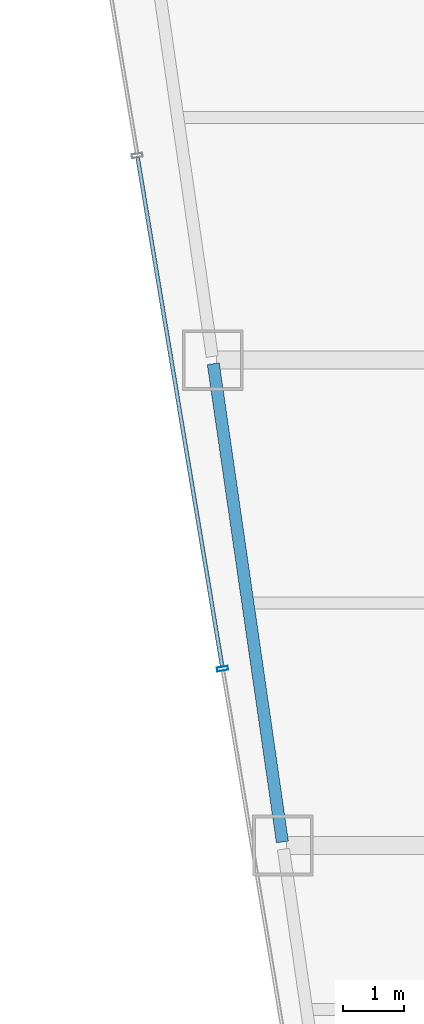
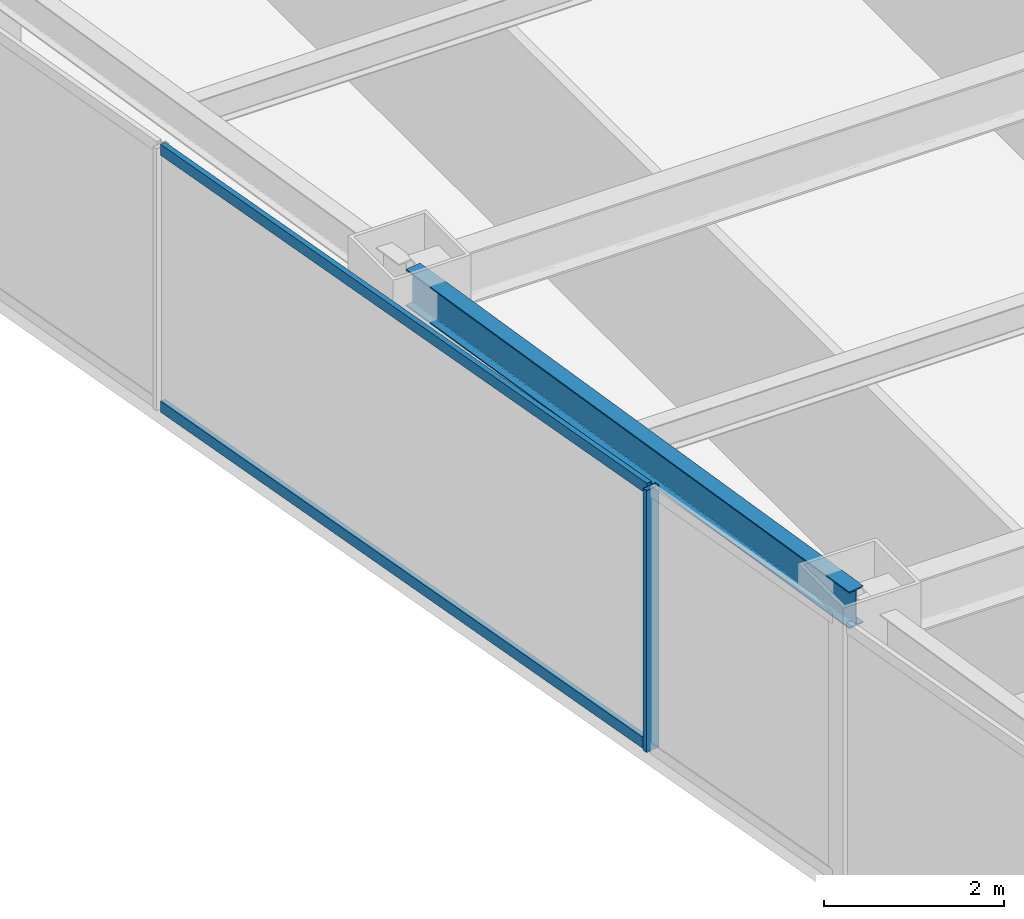
# One storey, part 4 of 40: 3 members, 1 beam, 1 element without a shape of its own.
"""IFC4 building model written with IfcOpenShell, lengths in metres."""

from ifc_helpers import new_model, si_unit, direction, frame, origin, origin_2d, place, context, subcontext, project, spatial, hollow_rectangle, i_section, extrude, material, material_profile, profile_set, type_object, element, aggregate, save


model = new_model("IFC4")

# Units and contexts
model_context = context("Model", 3, precision=1e-05, world=origin(), true_north=direction((0.0, 1.0)))
body_context = subcontext(model_context, "Body", "Model", "MODEL_VIEW")
ifc_project = project(units=[si_unit("LENGTHUNIT", "METRE"), si_unit("AREAUNIT", "SQUARE_METRE"), si_unit("VOLUMEUNIT", "CUBIC_METRE"), si_unit("PLANEANGLEUNIT", "RADIAN"), si_unit("MASSUNIT", "GRAM", prefix="KILO")], contexts=[model_context])

# Site, building, storey
site_placement = place(None, origin())
site = spatial("IfcSite", under=ifc_project, at=site_placement, CompositionType="ELEMENT")
building_placement = place(site_placement, origin())
building = spatial("IfcBuilding", under=site, at=building_placement, Name="Saevonmaru Cultural Tower", CompositionType="ELEMENT")
storey_placement = place(building_placement, frame((0.0, 0.0, 129.60009765625)))
storey = spatial("IfcBuildingStorey", under=building, at=storey_placement, Name="L27", CompositionType="ELEMENT", Elevation=129.60009765625)

# Beam
ifc_material_1 = material(Name="Steel SM355", Category="steel")
ifc_material_profile_1 = material_profile(ifc_material_1, i_section(OverallWidth=0.199951171875, OverallDepth=0.5, WebThickness=0.010009765625, FlangeThickness=0.01611328125, FilletRadius=0.02001953125, at=origin_2d()), Name="H-500x200x10x16")
ifc_profile_set_1 = profile_set([ifc_material_profile_1], Name="Steel SM355")
beam_type = type_object("IfcBeamType", Name="BM-SP-H500", PredefinedType="SPANDREL", material=ifc_profile_set_1)
beam_placement = place(storey_placement, frame((10.619384765625, 16.059326171875, 3.2998046875), z_axis=(-0.142992129437, 0.989723825579, 0.0), x_axis=(-0.989723825579, -0.142992129437, 0.0)))
element("IfcBeam", 1, at=beam_placement, inside=storey, type_object=beam_type, Name="L27 West Splayed Spandrel 2", PredefinedType="SPANDREL", context=body_context, shape_type="SweptSolid", body=[
    extrude(i_section(OverallWidth=0.199951171875, OverallDepth=0.5, WebThickness=0.010009765625, FlangeThickness=0.01611328125, FilletRadius=0.02001953125, at=origin_2d()), origin(), (0.0, 0.0, 1.0), 7.963134765625),
])

# Curtain wall, members
ifc_material_2 = material(Name="Satin Bronze Anodised Aluminium", Category="aluminium")
curtain_wall_type = type_object("IfcCurtainWallType", Name="CW-SKY-GLZ", PredefinedType="NOTDEFINED", material=ifc_material_2)
curtain_wall_placement = place(storey_placement, origin())
curtain_wall = element("IfcCurtainWall", 2, at=curtain_wall_placement, inside=storey, type_object=curtain_wall_type, Name="L27 Unitised Curtain Wall E12", PredefinedType="NOTDEFINED")
ifc_material_profile_2 = material_profile(ifc_material_2, hollow_rectangle(XDim=0.06494140625, YDim=0.179931640625, WallThickness=0.00390625, at=origin_2d()), Name="ALU-MULL-180x65x4")
ifc_profile_set_2 = profile_set([ifc_material_profile_2], Name="Satin Bronze Anodised Aluminium")
member_type_1 = type_object("IfcMemberType", Name="ML-CW-180x65", PredefinedType="MULLION", material=ifc_profile_set_2)
member_1_placement = place(storey_placement, frame((9.63330078125, 18.91552734375, 0.0), z_axis=(0.0, 0.0, 1.0), x_axis=(0.163998702345, -0.986460554523, 0.0)))
member_1 = element("IfcMember", 3, at=member_1_placement, type_object=member_type_1, Name="CW-TW-L27-E12 mullion 5", PredefinedType="MULLION", context=body_context, shape_type="SweptSolid", body=[
    extrude(hollow_rectangle(XDim=0.06494140625, YDim=0.179931640625, WallThickness=0.00390625, at=origin_2d()), origin(), (0.0, 0.0, 1.0), 3.5498046875),
])
ifc_material_profile_3 = material_profile(ifc_material_2, hollow_rectangle(XDim=0.06494140625, YDim=0.14990234375, WallThickness=0.00390625, at=origin_2d()), Name="ALU-TRAN-150x65x4")
ifc_profile_set_3 = profile_set([ifc_material_profile_3], Name="Satin Bronze Anodised Aluminium")
member_type_2 = type_object("IfcMemberType", Name="TR-CW-150x65", PredefinedType="USERDEFINED", material=ifc_profile_set_3)
member_2_placement = place(storey_placement, frame((8.232666015625, 27.33984375, 0.032470703125), z_axis=(0.164003420685, -0.986459770089, 0.0), x_axis=(0.986459770089, 0.164003420685, 0.0)))
member_2 = element("IfcMember", 4, at=member_2_placement, type_object=member_type_2, Name="CW-TW-L27-E12 transom 4.1", ObjectType="TRANSOM", PredefinedType="USERDEFINED", context=body_context, shape_type="SweptSolid", body=[
    extrude(hollow_rectangle(XDim=0.06494140625, YDim=0.14990234375, WallThickness=0.00390625, at=origin_2d()), origin(), (0.0, 0.0, 1.0), 8.507568359375),
])
member_3_placement = place(storey_placement, frame((8.232666015625, 27.33984375, 3.517333984375), z_axis=(0.164003420685, -0.986459770089, 0.0), x_axis=(0.986459770089, 0.164003420685, 0.0)))
member_3 = element("IfcMember", 5, at=member_3_placement, type_object=member_type_2, Name="CW-TW-L27-E12 transom 4.2", ObjectType="TRANSOM", PredefinedType="USERDEFINED", context=body_context, shape_type="SweptSolid", body=[
    extrude(hollow_rectangle(XDim=0.06494140625, YDim=0.14990234375, WallThickness=0.00390625, at=origin_2d()), origin(), (0.0, 0.0, 1.0), 8.507568359375),
])
aggregate(curtain_wall, [member_1, member_2, member_3])

save(model, "model.ifc")
